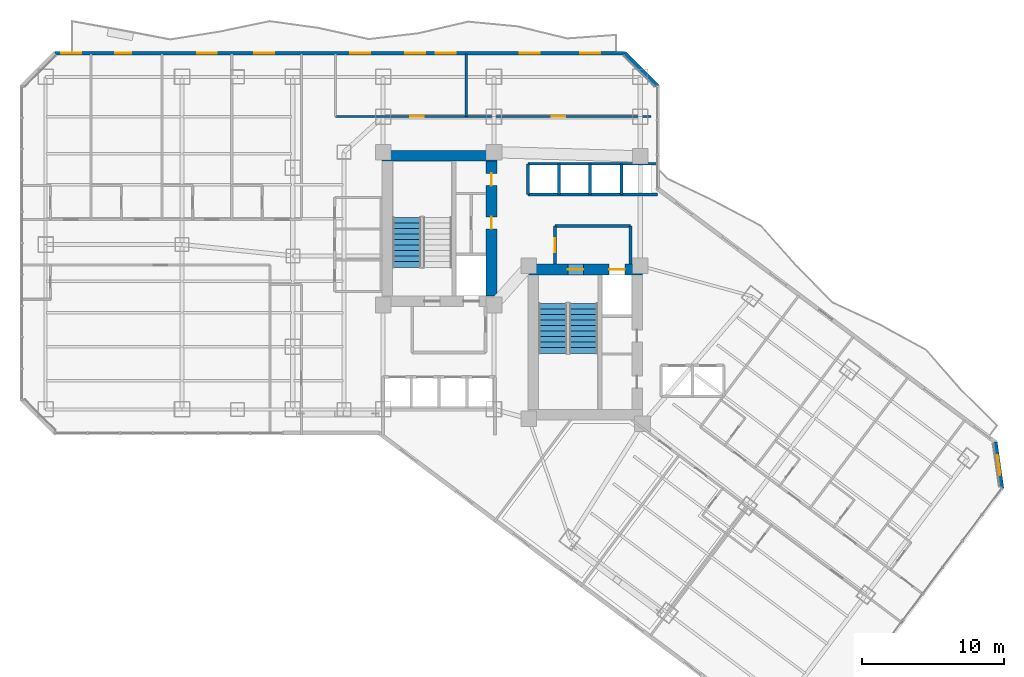
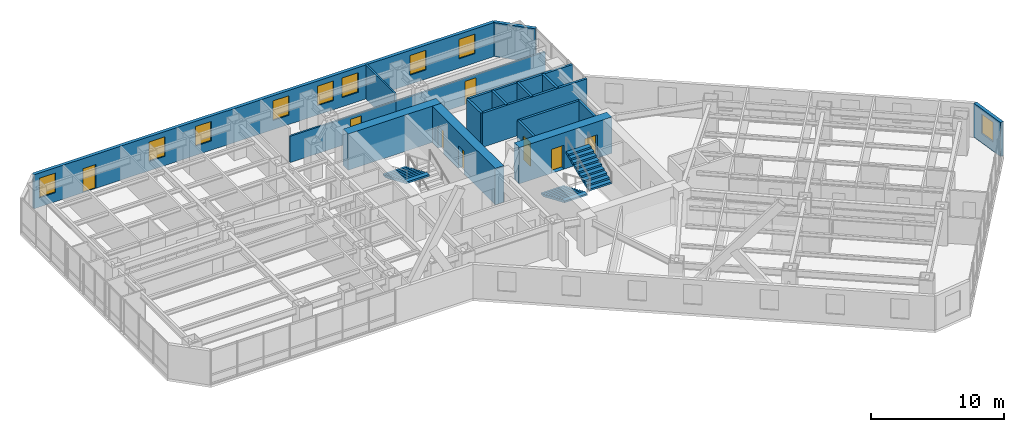
# One storey, part 27 of 33: 18 walls, 9 windows, 8 doors, 3 stair flights, 17 openings, 2 elements without a shape of their own.
"""IFC4 building model written with IfcOpenShell, lengths in metres."""

from ifc_helpers import new_model, si_unit, direction, frame, frame_2d, origin, place, context, subcontext, project, spatial, polyline, rectangle, outline, extrude, material, layer, layer_set, type_object, element, fill, aggregate, save


model = new_model("IFC4")

# Units and contexts
model_context = context("Model", 3, precision=1e-05, world=origin(), true_north=direction((0.0, 1.0)))
body_context = subcontext(model_context, "Body", "Model", "MODEL_VIEW")
ifc_project = project(units=[si_unit("LENGTHUNIT", "METRE"), si_unit("AREAUNIT", "SQUARE_METRE"), si_unit("VOLUMEUNIT", "CUBIC_METRE"), si_unit("PLANEANGLEUNIT", "RADIAN"), si_unit("MASSUNIT", "GRAM", prefix="KILO")], contexts=[model_context])

# Site, building, storey
site_placement = place(None, origin())
site = spatial("IfcSite", under=ifc_project, at=site_placement, CompositionType="ELEMENT")
building_placement = place(site_placement, origin())
building = spatial("IfcBuilding", under=site, at=building_placement, Name="Hatsunagi Terrace Concourse", CompositionType="ELEMENT")
storey_placement = place(building_placement, frame((0.0, 0.0, 43.300048828125)))
storey = spatial("IfcBuildingStorey", under=building, at=storey_placement, Name="L10", CompositionType="ELEMENT", Elevation=43.300048828125)

# Wall
ifc_material_1 = material(Name="Concrete Fc60", Category="concrete")
ifc_layer_1 = layer(ifc_material_1, 0.75)
ifc_layer_set_1 = layer_set([ifc_layer_1], Name="CoreShearWall_Fc60_750")
wall_type_1 = type_object("IfcWallType", Name="CoreShearWall_Fc60_750", PredefinedType="SHEAR", material=ifc_layer_set_1)
wall_1_placement = place(storey_placement, frame((25.469970703125, 43.044921875, 0.0), z_axis=(0.0, 0.0, 1.0), x_axis=(1.0, 0.0, 0.0)))
element("IfcWall", 1, at=wall_1_placement, inside=storey, type_object=wall_type_1, Name="Core A Shear Wall N L10", PredefinedType="SHEAR", context=body_context, shape_type="SweptSolid", body=[
    extrude(rectangle(XDim=8.080078125, YDim=0.75, at=frame_2d((4.0400390625, 0.0))), origin(), (0.0, 0.0, 1.0), 3.349853515625),
])

# Wall, openings, doors
wall_2_placement = place(storey_placement, frame((33.175048828125, 33.18994140625, 0.0), z_axis=(0.0, 0.0, 1.0), x_axis=(0.0, 1.0, 0.0)))
wall_2 = element("IfcWall", 2, at=wall_2_placement, inside=storey, type_object=wall_type_1, Name="Core A Shear Wall E L10", PredefinedType="SHEAR", context=body_context, shape_type="SweptSolid", body=[
    extrude(rectangle(XDim=9.47998046875, YDim=0.75, at=frame_2d((4.739990234375, 0.0))), origin(), (0.0, 0.0, 1.0), 3.349853515625),
])
opening_1_placement = place(wall_2_placement, frame((4.7099609375, 0.0, 0.0)))
opening_1 = element("IfcOpeningElement", 3, at=opening_1_placement, cuts=wall_2, Name="Opening DR-085", PredefinedType="OPENING", context=body_context, shape_type="SweptSolid", body=[
    extrude(rectangle(XDim=0.85009765625, YDim=2.080078125, at=frame_2d((0.425048828125, 1.0400390625))), frame((0.0, 0.385009765625, 0.0), z_axis=(0.0, -1.0, 0.0), x_axis=(1.0, 0.0, 0.0)), (0.0, 0.0, 1.0), 0.77001953125),
])
opening_2_placement = place(wall_2_placement, frame((7.760009765625, 0.0, 0.0)))
opening_2 = element("IfcOpeningElement", 4, at=opening_2_placement, cuts=wall_2, Name="Opening DR-085", PredefinedType="OPENING", context=body_context, shape_type="SweptSolid", body=[
    extrude(rectangle(XDim=0.85009765625, YDim=2.080078125, at=frame_2d((0.425048828125, 1.0400390625))), frame((0.0, 0.385009765625, 0.0), z_axis=(0.0, -1.0, 0.0), x_axis=(1.0, 0.0, 0.0)), (0.0, 0.0, 1.0), 0.77001953125),
])
ifc_material_2 = material(Name="Painted steel", Category="steel")
door_type_1 = type_object("IfcDoorType", Name="RiserAccessDoor_EI60_850", OperationType="NOTDEFINED", PredefinedType="DOOR", material=ifc_material_2)
door_1_placement = place(opening_1_placement, origin())
door_1 = element("IfcDoor", 5, at=door_1_placement, inside=storey, type_object=door_type_1, Name="Core A Riser Door L10-1", OperationType="SINGLE_SWING_LEFT", OverallHeight=2.080078125, OverallWidth=0.85009765625, PredefinedType="DOOR", context=body_context, shape_type="SweptSolid", body=[
    extrude(rectangle(XDim=0.85009765625, YDim=2.080078125, at=frame_2d((0.425048828125, 1.0400390625))), frame((0.0, 0.02490234375, 0.0), z_axis=(0.0, -1.0, 0.0), x_axis=(1.0, 0.0, 0.0)), (0.0, 0.0, 1.0), 0.050048828125),
])
fill(opening_1, door_1)
door_2_placement = place(opening_2_placement, origin())
door_2 = element("IfcDoor", 6, at=door_2_placement, inside=storey, type_object=door_type_1, Name="Core A Riser Door L10-2", OperationType="SINGLE_SWING_LEFT", OverallHeight=2.080078125, OverallWidth=0.85009765625, PredefinedType="DOOR", context=body_context, shape_type="SweptSolid", body=[
    extrude(rectangle(XDim=0.85009765625, YDim=2.080078125, at=frame_2d((0.425048828125, 1.0400390625))), frame((0.0, 0.02490234375, 0.0), z_axis=(0.0, -1.0, 0.0), x_axis=(1.0, 0.0, 0.0)), (0.0, 0.0, 1.0), 0.050048828125),
])
fill(opening_2, door_2)

wall_3_placement = place(storey_placement, frame((35.739990234375, 35.044921875, 0.0), z_axis=(0.0, 0.0, 1.0), x_axis=(1.0, 0.0, 0.0)))
wall_3 = element("IfcWall", 7, at=wall_3_placement, inside=storey, type_object=wall_type_1, Name="Core B Shear Wall N L10", PredefinedType="SHEAR", context=body_context, shape_type="SweptSolid", body=[
    extrude(rectangle(XDim=8.06005859375, YDim=0.75, at=frame_2d((4.030029296875, 0.0))), origin(), (0.0, 0.0, 1.0), 3.349853515625),
])
opening_3_placement = place(wall_3_placement, frame((2.81005859375, 0.0, 0.0)))
opening_3 = element("IfcOpeningElement", 8, at=opening_3_placement, cuts=wall_3, Name="Opening DR-110S", PredefinedType="OPENING", context=body_context, shape_type="SweptSolid", body=[
    extrude(rectangle(XDim=1.10009765625, YDim=2.199951171875, at=frame_2d((0.550048828125, 1.10009765625))), frame((0.0, 0.385009765625, 0.0), z_axis=(0.0, -1.0, 0.0), x_axis=(1.0, 0.0, 0.0)), (0.0, 0.0, 1.0), 0.77001953125),
])
opening_4_placement = place(wall_3_placement, frame((5.7099609375, 0.0, 0.0)))
opening_4 = element("IfcOpeningElement", 9, at=opening_4_placement, cuts=wall_3, Name="Opening LD-02", PredefinedType="OPENING", context=body_context, shape_type="SweptSolid", body=[
    extrude(rectangle(XDim=1.1201171875, YDim=2.14990234375, at=frame_2d((0.56005859375, 1.074951171875))), frame((0.0, 0.385009765625, 0.0), z_axis=(0.0, -1.0, 0.0), x_axis=(1.0, 0.0, 0.0)), (0.0, 0.0, 1.0), 0.77001953125),
])
ifc_material_3 = material(Name="Stainless steel", Category="steel")
door_type_2 = type_object("IfcDoorType", Name="LiftLandingDoor_LD02", OperationType="SLIDING_TO_RIGHT", PredefinedType="USERDEFINED", material=ifc_material_3)
door_3_placement = place(opening_4_placement, origin())
door_3 = element("IfcDoor", 10, at=door_3_placement, inside=storey, type_object=door_type_2, Name="Lift landing door FF-02 L10", ObjectType="SLIDING_LANDING_DOOR", OperationType="SLIDING_TO_RIGHT", OverallHeight=2.14990234375, OverallWidth=1.1201171875, PredefinedType="USERDEFINED", context=body_context, shape_type="SweptSolid", body=[
    extrude(rectangle(XDim=1.1201171875, YDim=2.14990234375, at=frame_2d((0.56005859375, 1.074951171875))), frame((0.0, 0.02490234375, 0.0), z_axis=(0.0, -1.0, 0.0), x_axis=(1.0, 0.0, 0.0)), (0.0, 0.0, 1.0), 0.050048828125),
])
fill(opening_4, door_3)
ifc_material_4 = material(Name="Painted steel", Category="steel")
door_type_3 = type_object("IfcDoorType", Name="StairFireDoor_EI60_1100", OperationType="NOTDEFINED", PredefinedType="DOOR", material=ifc_material_4)
door_4_placement = place(opening_3_placement, origin())
door_4 = element("IfcDoor", 11, at=door_4_placement, inside=storey, type_object=door_type_3, Name="Stair ST-B Exit Door L10", OperationType="SINGLE_SWING_RIGHT", OverallHeight=2.199951171875, OverallWidth=1.10009765625, PredefinedType="DOOR", context=body_context, shape_type="SweptSolid", body=[
    extrude(rectangle(XDim=1.10009765625, YDim=2.199951171875, at=frame_2d((0.550048828125, 1.10009765625))), frame((0.0, 0.02490234375, 0.0), z_axis=(0.0, -1.0, 0.0), x_axis=(1.0, 0.0, 0.0)), (0.0, 0.0, 1.0), 0.050048828125),
])
fill(opening_3, door_4)

# Wall, opening, door
ifc_material_5 = material(Name="Acoustic mineral board", Category="gypsum")
ifc_layer_2 = layer(ifc_material_5, 0.14990234375)
ifc_layer_set_2 = layer_set([ifc_layer_2], Name="PartitionWall_EI60_150")
wall_type_2 = type_object("IfcWallType", Name="PartitionWall_EI60_150", PredefinedType="PARTITIONING", material=ifc_layer_set_2)
wall_4_placement = place(storey_placement, frame((22.199951171875, 45.800048828125, 0.0), z_axis=(0.0, 0.0, 1.0), x_axis=(1.0, 0.0, 0.0)))
wall_4 = element("IfcWall", 12, at=wall_4_placement, inside=storey, type_object=wall_type_2, Name="Interior Partition IW-L10-038", PredefinedType="PARTITIONING", context=body_context, shape_type="SweptSolid", body=[
    extrude(rectangle(XDim=9.199951171875, YDim=0.14990234375, at=frame_2d((4.60009765625, 0.0))), origin(), (0.0, 0.0, 1.0), 2.425048828125),
])
opening_5_placement = place(wall_4_placement, frame((5.248046875, 0.0, 0.0)))
opening_5 = element("IfcOpeningElement", 13, at=opening_5_placement, cuts=wall_4, Name="Opening DR-095", PredefinedType="OPENING", context=body_context, shape_type="SweptSolid", body=[
    extrude(rectangle(XDim=0.949951171875, YDim=2.14990234375, at=frame_2d((0.47509765625, 1.074951171875))), frame((0.0, 0.0849609375, 0.0), z_axis=(0.0, -1.0, 0.0), x_axis=(1.0, 0.0, 0.0)), (0.0, 0.0, 1.0), 0.169921875),
])
ifc_material_6 = material(Name="Hardwood timber", Category="wood")
door_type_4 = type_object("IfcDoorType", Name="InteriorSuiteDoor_EI30_950", OperationType="NOTDEFINED", PredefinedType="DOOR", material=ifc_material_6)
door_5_placement = place(opening_5_placement, origin())
door_5 = element("IfcDoor", 14, at=door_5_placement, inside=storey, type_object=door_type_4, Name="Housekeeping Linen Room L10-HLIN Door", OperationType="SINGLE_SWING_LEFT", OverallHeight=2.14990234375, OverallWidth=0.949951171875, PredefinedType="DOOR", context=body_context, shape_type="SweptSolid", body=[
    extrude(rectangle(XDim=0.949951171875, YDim=2.14990234375, at=frame_2d((0.47509765625, 1.074951171875))), frame((0.0, 0.02490234375, 0.0), z_axis=(0.0, -1.0, 0.0), x_axis=(1.0, 0.0, 0.0)), (0.0, 0.0, 1.0), 0.050048828125),
])
fill(opening_5, door_5)

# Wall
wall_5_placement = place(storey_placement, frame((31.39990234375, 45.800048828125, 0.0), z_axis=(0.0, 0.0, 1.0), x_axis=(0.0, 1.0, 0.0)))
element("IfcWall", 15, at=wall_5_placement, inside=storey, type_object=wall_type_2, Name="Interior Partition IW-L10-040", PredefinedType="PARTITIONING", context=body_context, shape_type="SweptSolid", body=[
    extrude(rectangle(XDim=4.39990234375, YDim=0.14990234375, at=frame_2d((2.199951171875, 0.0))), origin(), (0.0, 0.0, 1.0), 3.1298828125),
])

# Wall, opening, door
wall_6_placement = place(storey_placement, frame((31.39990234375, 45.800048828125, 0.0), z_axis=(0.0, 0.0, 1.0), x_axis=(1.0, 0.0, 0.0)))
wall_6 = element("IfcWall", 16, at=wall_6_placement, inside=storey, type_object=wall_type_2, Name="Interior Partition IW-L10-041", PredefinedType="PARTITIONING", context=body_context, shape_type="SweptSolid", body=[
    extrude(rectangle(XDim=13.0, YDim=0.14990234375, at=frame_2d((6.5, 0.0))), origin(), (0.0, 0.0, 1.0), 2.425048828125),
])
opening_6_placement = place(wall_6_placement, frame((6.02490234375, 0.0, 0.0)))
opening_6 = element("IfcOpeningElement", 17, at=opening_6_placement, cuts=wall_6, Name="Opening DR-095", PredefinedType="OPENING", context=body_context, shape_type="SweptSolid", body=[
    extrude(rectangle(XDim=0.949951171875, YDim=2.14990234375, at=frame_2d((0.47509765625, 1.074951171875))), frame((0.0, 0.0849609375, 0.0), z_axis=(0.0, -1.0, 0.0), x_axis=(1.0, 0.0, 0.0)), (0.0, 0.0, 1.0), 0.169921875),
])
door_6_placement = place(opening_6_placement, origin())
door_6 = element("IfcDoor", 18, at=door_6_placement, inside=storey, type_object=door_type_4, Name="VIP Lounge L10-HLNG Door", OperationType="SINGLE_SWING_LEFT", OverallHeight=2.14990234375, OverallWidth=0.949951171875, PredefinedType="DOOR", context=body_context, shape_type="SweptSolid", body=[
    extrude(rectangle(XDim=0.949951171875, YDim=2.14990234375, at=frame_2d((0.47509765625, 1.074951171875))), frame((0.0, 0.02490234375, 0.0), z_axis=(0.0, -1.0, 0.0), x_axis=(1.0, 0.0, 0.0)), (0.0, 0.0, 1.0), 0.050048828125),
])
fill(opening_6, door_6)

# Walls
ifc_material_7 = material(Name="Acoustic mineral board", Category="gypsum")
ifc_layer_3 = layer(ifc_material_7, 0.199951171875)
ifc_layer_set_3 = layer_set([ifc_layer_3], Name="ShaftWall_EI120_200")
wall_type_3 = type_object("IfcWallType", Name="ShaftWall_EI120_200", PredefinedType="STANDARD", material=ifc_layer_set_3)
wall_7_placement = place(storey_placement, frame((37.64990234375, 38.10009765625, 0.0), z_axis=(0.0, 0.0, 1.0), x_axis=(1.0, 0.0, 0.0)))
element("IfcWall", 19, at=wall_7_placement, inside=storey, type_object=wall_type_3, Name="Interior Partition IW-L10-009", PredefinedType="STANDARD", context=body_context, shape_type="SweptSolid", body=[
    extrude(rectangle(XDim=5.300048828125, YDim=0.199951171875, at=frame_2d((2.64990234375, 0.0))), origin(), (0.0, 0.0, 1.0), 3.1298828125),
])
wall_8_placement = place(storey_placement, frame((42.949951171875, 35.419921875, 0.0), z_axis=(0.0, 0.0, 1.0), x_axis=(0.0, 1.0, 0.0)))
element("IfcWall", 20, at=wall_8_placement, inside=storey, type_object=wall_type_3, Name="Interior Partition IW-L10-010", PredefinedType="STANDARD", context=body_context, shape_type="SweptSolid", body=[
    extrude(rectangle(XDim=2.68017578125, YDim=0.199951171875, at=frame_2d((1.340087890625, 0.0))), origin(), (0.0, 0.0, 1.0), 3.1298828125),
])

# Wall, opening, door
wall_9_placement = place(storey_placement, frame((37.64990234375, 35.419921875, 0.0), z_axis=(0.0, 0.0, 1.0), x_axis=(0.0, 1.0, 0.0)))
wall_9 = element("IfcWall", 21, at=wall_9_placement, inside=storey, type_object=wall_type_3, Name="Interior Partition IW-L10-011", PredefinedType="STANDARD", context=body_context, shape_type="SweptSolid", body=[
    extrude(rectangle(XDim=2.68017578125, YDim=0.199951171875, at=frame_2d((1.340087890625, 0.0))), origin(), (0.0, 0.0, 1.0), 3.1298828125),
])
opening_7_placement = place(wall_9_placement, frame((0.840087890625, 0.0, 0.0)))
opening_7 = element("IfcOpeningElement", 22, at=opening_7_placement, cuts=wall_9, Name="Opening DR-100F", PredefinedType="OPENING", context=body_context, shape_type="SweptSolid", body=[
    extrude(rectangle(XDim=1.0, YDim=2.199951171875, at=frame_2d((0.5, 1.10009765625))), frame((0.0, 0.10986328125, 0.0), z_axis=(0.0, -1.0, 0.0), x_axis=(1.0, 0.0, 0.0)), (0.0, 0.0, 1.0), 0.219970703125),
])
ifc_material_8 = material(Name="Painted steel", Category="steel")
door_type_5 = type_object("IfcDoorType", Name="FireDoor_EI60_1000", OperationType="NOTDEFINED", PredefinedType="DOOR", material=ifc_material_8)
door_7_placement = place(opening_7_placement, origin())
door_7 = element("IfcDoor", 23, at=door_7_placement, inside=storey, type_object=door_type_5, Name="Firefighting Lobby B Door L10", OperationType="SINGLE_SWING_RIGHT", OverallHeight=2.199951171875, OverallWidth=1.0, PredefinedType="DOOR", context=body_context, shape_type="SweptSolid", body=[
    extrude(rectangle(XDim=1.0, YDim=2.199951171875, at=frame_2d((0.5, 1.10009765625))), frame((0.0, 0.02490234375, 0.0), z_axis=(0.0, -1.0, 0.0), x_axis=(1.0, 0.0, 0.0)), (0.0, 0.0, 1.0), 0.050048828125),
])
fill(opening_7, door_7)

# Walls
wall_10_placement = place(storey_placement, frame((35.75, 42.47998046875, 0.0), z_axis=(0.0, 0.0, 1.0), x_axis=(1.0, 0.0, 0.0)))
element("IfcWall", 24, at=wall_10_placement, inside=storey, type_object=wall_type_3, Name="Interior Partition IW-L10-019", PredefinedType="STANDARD", context=body_context, shape_type="SweptSolid", body=[
    extrude(rectangle(XDim=9.110107421875, YDim=0.199951171875, at=frame_2d((4.55517578125, 0.0))), origin(), (0.0, 0.0, 1.0), 3.1298828125),
])
for number, where, z_axis, x_axis, name in (
    (25, (35.75, 40.320068359375, 0.0), (0.0, 0.0, 1.0), (0.0, 1.0, 0.0), "Interior Partition IW-L10-020"),
    (26, (37.919921875, 40.320068359375, 0.0), (0.0, 0.0, 1.0), (0.0, 1.0, 0.0), "Interior Partition IW-L10-021"),
    (27, (40.1201171875, 40.320068359375, 0.0), (0.0, 0.0, 1.0), (0.0, 1.0, 0.0), "Interior Partition IW-L10-022"),
    (28, (42.320068359375, 40.320068359375, 0.0), (0.0, 0.0, 1.0), (0.0, 1.0, 0.0), "Interior Partition IW-L10-023"),
):
    element("IfcWall", number, at=place(storey_placement, frame(where, z_axis=z_axis, x_axis=x_axis)), inside=storey, type_object=wall_type_3, Name=name, PredefinedType="STANDARD", context=body_context, shape_type="SweptSolid", body=[
        extrude(rectangle(XDim=2.159912109375, YDim=0.199951171875, at=frame_2d((1.080078125, 0.0))), origin(), (0.0, 0.0, 1.0), 3.1298828125),
    ])
wall_11_placement = place(storey_placement, frame((35.75, 40.320068359375, 0.0), z_axis=(0.0, 0.0, 1.0), x_axis=(1.0, 0.0, 0.0)))
element("IfcWall", 29, at=wall_11_placement, inside=storey, type_object=wall_type_3, Name="Interior Partition IW-L10-024", PredefinedType="STANDARD", context=body_context, shape_type="SweptSolid", body=[
    extrude(rectangle(XDim=9.110107421875, YDim=0.199951171875, at=frame_2d((4.55517578125, 0.0))), origin(), (0.0, 0.0, 1.0), 3.1298828125),
])

# Wall, opening, window
ifc_material_9 = material(Name="Autoclaved Lightweight Concrete and Terracotta Cladding", Category="masonry")
ifc_layer_4 = layer(ifc_material_9, 0.280029296875)
ifc_layer_set_4 = layer_set([ifc_layer_4], Name="TerracottaSpandrelWall_280")
wall_type_4 = type_object("IfcWallType", Name="TerracottaSpandrelWall_280", PredefinedType="STANDARD", material=ifc_layer_set_4)
wall_12_placement = place(storey_placement, frame((68.6298828125, 22.903076171875, 0.0), z_axis=(0.0, 0.0, 1.0), x_axis=(0.141285803956, -0.989968848803, 0.0)))
wall_12 = element("IfcWall", 30, at=wall_12_placement, inside=storey, type_object=wall_type_4, Name="Exterior Spandrel Wall EW-L10-02", PredefinedType="STANDARD", context=body_context, shape_type="SweptSolid", body=[
    extrude(rectangle(XDim=3.278076171875, YDim=0.280029296875, at=frame_2d((1.63916015625, 0.0))), origin(), (0.0, 0.0, 1.0), 3.1298828125),
])
opening_8_placement = place(wall_12_placement, frame((0.93896484375, 0.0, 0.85009765625)))
opening_8 = element("IfcOpeningElement", 31, at=opening_8_placement, cuts=wall_12, Name="Opening WIN-02", PredefinedType="OPENING", context=body_context, shape_type="SweptSolid", body=[
    extrude(rectangle(XDim=1.39990234375, YDim=1.800048828125, at=frame_2d((0.699951171875, 0.89990234375))), frame((0.0, 0.14990234375, 0.0), z_axis=(0.0, -1.0, 0.0), x_axis=(1.0, 0.0, 0.0)), (0.0, 0.0, 1.0), 0.300048828125),
])
ifc_material_10 = material(Name="Thermally Broken Aluminium and Low-E Triple Glazing", Category="aluminium")
window_type = type_object("IfcWindowType", Name="HotelOperableVentWindow_1400x1800", PartitioningType="DOUBLE_PANEL_VERTICAL", PredefinedType="WINDOW", material=ifc_material_10)
window_1_placement = place(opening_8_placement, origin())
window_1 = element("IfcWindow", 32, at=window_1_placement, inside=storey, type_object=window_type, Name="Hotel Guestroom Window L10-02-1", OverallHeight=1.800048828125, OverallWidth=1.39990234375, PartitioningType="SINGLE_PANEL", PredefinedType="WINDOW", context=body_context, shape_type="SweptSolid", body=[
    extrude(rectangle(XDim=1.39990234375, YDim=1.800048828125, at=frame_2d((0.699951171875, 0.89990234375))), frame((0.0, 0.030029296875, 0.0), z_axis=(0.0, -1.0, 0.0), x_axis=(1.0, 0.0, 0.0)), (0.0, 0.0, 1.0), 0.06005859375),
])
fill(opening_8, window_1)

# Wall, openings, door, windows
wall_13_placement = place(storey_placement, frame((2.4580078125, 50.260009765625, 0.0), z_axis=(0.0, 0.0, 1.0), x_axis=(1.0, 0.0, 0.0)))
wall_13 = element("IfcWall", 33, at=wall_13_placement, inside=storey, type_object=wall_type_4, Name="Exterior Spandrel Wall EW-L10-11", PredefinedType="STANDARD", context=body_context, shape_type="SweptSolid", body=[
    extrude(rectangle(XDim=40.083984375, YDim=0.280029296875, at=frame_2d((20.0419921875, 0.0))), origin(), (0.0, 0.0, 1.0), 3.1298828125),
])
opening_9_placement = place(wall_13_placement, frame((4.260009765625, 0.0, 0.0)))
opening_9 = element("IfcOpeningElement", 34, at=opening_9_placement, cuts=wall_13, Name="Opening BD-01", PredefinedType="OPENING", context=body_context, shape_type="SweptSolid", body=[
    extrude(rectangle(XDim=1.10009765625, YDim=2.199951171875, at=frame_2d((0.550048828125, 1.10009765625))), frame((0.0, 0.14990234375, 0.0), z_axis=(0.0, -1.0, 0.0), x_axis=(1.0, 0.0, 0.0)), (0.0, 0.0, 1.0), 0.300048828125),
])
opening_10_placement = place(wall_13_placement, frame((0.4599609375, 0.0, 0.85009765625)))
opening_10 = element("IfcOpeningElement", 35, at=opening_10_placement, cuts=wall_13, Name="Opening WIN-02", PredefinedType="OPENING", context=body_context, shape_type="SweptSolid", body=[
    extrude(rectangle(XDim=1.39990234375, YDim=1.800048828125, at=frame_2d((0.699951171875, 0.89990234375))), frame((0.0, 0.14990234375, 0.0), z_axis=(0.0, -1.0, 0.0), x_axis=(1.0, 0.0, 0.0)), (0.0, 0.0, 1.0), 0.300048828125),
])
opening_11_placement = place(wall_13_placement, frame((10.0, 0.0, 0.85009765625)))
opening_11 = element("IfcOpeningElement", 36, at=opening_11_placement, cuts=wall_13, Name="Opening WIN-02", PredefinedType="OPENING", context=body_context, shape_type="SweptSolid", body=[
    extrude(rectangle(XDim=1.39990234375, YDim=1.800048828125, at=frame_2d((0.699951171875, 0.89990234375))), frame((0.0, 0.14990234375, 0.0), z_axis=(0.0, -1.0, 0.0), x_axis=(1.0, 0.0, 0.0)), (0.0, 0.0, 1.0), 0.300048828125),
])
opening_12_placement = place(wall_13_placement, frame((14.02001953125, 0.0, 0.85009765625)))
opening_12 = element("IfcOpeningElement", 37, at=opening_12_placement, cuts=wall_13, Name="Opening WIN-02", PredefinedType="OPENING", context=body_context, shape_type="SweptSolid", body=[
    extrude(rectangle(XDim=1.39990234375, YDim=1.800048828125, at=frame_2d((0.699951171875, 0.89990234375))), frame((0.0, 0.14990234375, 0.0), z_axis=(0.0, -1.0, 0.0), x_axis=(1.0, 0.0, 0.0)), (0.0, 0.0, 1.0), 0.300048828125),
])
opening_13_placement = place(wall_13_placement, frame((20.7890625, 0.0, 0.85009765625)))
opening_13 = element("IfcOpeningElement", 38, at=opening_13_placement, cuts=wall_13, Name="Opening WIN-02", PredefinedType="OPENING", context=body_context, shape_type="SweptSolid", body=[
    extrude(rectangle(XDim=1.39990234375, YDim=1.800048828125, at=frame_2d((0.699951171875, 0.89990234375))), frame((0.0, 0.14990234375, 0.0), z_axis=(0.0, -1.0, 0.0), x_axis=(1.0, 0.0, 0.0)), (0.0, 0.0, 1.0), 0.300048828125),
])
opening_14_placement = place(wall_13_placement, frame((24.6640625, 0.0, 0.85009765625)))
opening_14 = element("IfcOpeningElement", 39, at=opening_14_placement, cuts=wall_13, Name="Opening WIN-02", PredefinedType="OPENING", context=body_context, shape_type="SweptSolid", body=[
    extrude(rectangle(XDim=1.39990234375, YDim=1.800048828125, at=frame_2d((0.699951171875, 0.89990234375))), frame((0.0, 0.14990234375, 0.0), z_axis=(0.0, -1.0, 0.0), x_axis=(1.0, 0.0, 0.0)), (0.0, 0.0, 1.0), 0.300048828125),
])
opening_15_placement = place(wall_13_placement, frame((26.802978515625, 0.0, 0.85009765625)))
opening_15 = element("IfcOpeningElement", 40, at=opening_15_placement, cuts=wall_13, Name="Opening WIN-02", PredefinedType="OPENING", context=body_context, shape_type="SweptSolid", body=[
    extrude(rectangle(XDim=1.39990234375, YDim=1.800048828125, at=frame_2d((0.699951171875, 0.89990234375))), frame((0.0, 0.14990234375, 0.0), z_axis=(0.0, -1.0, 0.0), x_axis=(1.0, 0.0, 0.0)), (0.0, 0.0, 1.0), 0.300048828125),
])
opening_16_placement = place(wall_13_placement, frame((32.702880859375, 0.0, 0.85009765625)))
opening_16 = element("IfcOpeningElement", 41, at=opening_16_placement, cuts=wall_13, Name="Opening WIN-02", PredefinedType="OPENING", context=body_context, shape_type="SweptSolid", body=[
    extrude(rectangle(XDim=1.39990234375, YDim=1.800048828125, at=frame_2d((0.699951171875, 0.89990234375))), frame((0.0, 0.14990234375, 0.0), z_axis=(0.0, -1.0, 0.0), x_axis=(1.0, 0.0, 0.0)), (0.0, 0.0, 1.0), 0.300048828125),
])
opening_17_placement = place(wall_13_placement, frame((36.967041015625, 0.0, 0.85009765625)))
opening_17 = element("IfcOpeningElement", 42, at=opening_17_placement, cuts=wall_13, Name="Opening WIN-02", PredefinedType="OPENING", context=body_context, shape_type="SweptSolid", body=[
    extrude(rectangle(XDim=1.39990234375, YDim=1.800048828125, at=frame_2d((0.699951171875, 0.89990234375))), frame((0.0, 0.14990234375, 0.0), z_axis=(0.0, -1.0, 0.0), x_axis=(1.0, 0.0, 0.0)), (0.0, 0.0, 1.0), 0.300048828125),
])
ifc_material_11 = material(Name="Galvanised Steel and Laminated Safety Glass", Category="steel")
door_type_6 = type_object("IfcDoorType", Name="BalconyTerraceAccessDoor_1100x2200", OperationType="SINGLE_SWING_LEFT", PredefinedType="DOOR", material=ifc_material_11)
door_8_placement = place(opening_9_placement, origin())
door_8 = element("IfcDoor", 43, at=door_8_placement, inside=storey, type_object=door_type_6, Name="Engawa Balcony Door L10-BN", OperationType="SINGLE_SWING_RIGHT", OverallHeight=2.199951171875, OverallWidth=1.10009765625, PredefinedType="DOOR", context=body_context, shape_type="SweptSolid", body=[
    extrude(rectangle(XDim=1.10009765625, YDim=2.199951171875, at=frame_2d((0.550048828125, 1.10009765625))), frame((0.0, 0.02490234375, 0.0), z_axis=(0.0, -1.0, 0.0), x_axis=(1.0, 0.0, 0.0)), (0.0, 0.0, 1.0), 0.050048828125),
])
fill(opening_9, door_8)
window_2_placement = place(opening_10_placement, origin())
window_2 = element("IfcWindow", 44, at=window_2_placement, inside=storey, type_object=window_type, Name="Balcony Daylighting Window L10-11-1", OverallHeight=1.800048828125, OverallWidth=1.39990234375, PartitioningType="SINGLE_PANEL", PredefinedType="WINDOW", context=body_context, shape_type="SweptSolid", body=[
    extrude(rectangle(XDim=1.39990234375, YDim=1.800048828125, at=frame_2d((0.699951171875, 0.89990234375))), frame((0.0, 0.030029296875, 0.0), z_axis=(0.0, -1.0, 0.0), x_axis=(1.0, 0.0, 0.0)), (0.0, 0.0, 1.0), 0.06005859375),
])
fill(opening_10, window_2)
window_3_placement = place(opening_11_placement, origin())
window_3 = element("IfcWindow", 45, at=window_3_placement, inside=storey, type_object=window_type, Name="Balcony Daylighting Window L10-11-3", OverallHeight=1.800048828125, OverallWidth=1.39990234375, PartitioningType="SINGLE_PANEL", PredefinedType="WINDOW", context=body_context, shape_type="SweptSolid", body=[
    extrude(rectangle(XDim=1.39990234375, YDim=1.800048828125, at=frame_2d((0.699951171875, 0.89990234375))), frame((0.0, 0.030029296875, 0.0), z_axis=(0.0, -1.0, 0.0), x_axis=(1.0, 0.0, 0.0)), (0.0, 0.0, 1.0), 0.06005859375),
])
fill(opening_11, window_3)
window_4_placement = place(opening_12_placement, origin())
window_4 = element("IfcWindow", 46, at=window_4_placement, inside=storey, type_object=window_type, Name="Balcony Daylighting Window L10-11-4", OverallHeight=1.800048828125, OverallWidth=1.39990234375, PartitioningType="SINGLE_PANEL", PredefinedType="WINDOW", context=body_context, shape_type="SweptSolid", body=[
    extrude(rectangle(XDim=1.39990234375, YDim=1.800048828125, at=frame_2d((0.699951171875, 0.89990234375))), frame((0.0, 0.030029296875, 0.0), z_axis=(0.0, -1.0, 0.0), x_axis=(1.0, 0.0, 0.0)), (0.0, 0.0, 1.0), 0.06005859375),
])
fill(opening_12, window_4)
window_5_placement = place(opening_13_placement, origin())
window_5 = element("IfcWindow", 47, at=window_5_placement, inside=storey, type_object=window_type, Name="Balcony Daylighting Window L10-11-5", OverallHeight=1.800048828125, OverallWidth=1.39990234375, PartitioningType="SINGLE_PANEL", PredefinedType="WINDOW", context=body_context, shape_type="SweptSolid", body=[
    extrude(rectangle(XDim=1.39990234375, YDim=1.800048828125, at=frame_2d((0.699951171875, 0.89990234375))), frame((0.0, 0.030029296875, 0.0), z_axis=(0.0, -1.0, 0.0), x_axis=(1.0, 0.0, 0.0)), (0.0, 0.0, 1.0), 0.06005859375),
])
fill(opening_13, window_5)
window_6_placement = place(opening_14_placement, origin())
window_6 = element("IfcWindow", 48, at=window_6_placement, inside=storey, type_object=window_type, Name="Balcony Daylighting Window L10-11-6", OverallHeight=1.800048828125, OverallWidth=1.39990234375, PartitioningType="SINGLE_PANEL", PredefinedType="WINDOW", context=body_context, shape_type="SweptSolid", body=[
    extrude(rectangle(XDim=1.39990234375, YDim=1.800048828125, at=frame_2d((0.699951171875, 0.89990234375))), frame((0.0, 0.030029296875, 0.0), z_axis=(0.0, -1.0, 0.0), x_axis=(1.0, 0.0, 0.0)), (0.0, 0.0, 1.0), 0.06005859375),
])
fill(opening_14, window_6)
window_7_placement = place(opening_15_placement, origin())
window_7 = element("IfcWindow", 49, at=window_7_placement, inside=storey, type_object=window_type, Name="Balcony Daylighting Window L10-11-7", OverallHeight=1.800048828125, OverallWidth=1.39990234375, PartitioningType="SINGLE_PANEL", PredefinedType="WINDOW", context=body_context, shape_type="SweptSolid", body=[
    extrude(rectangle(XDim=1.39990234375, YDim=1.800048828125, at=frame_2d((0.699951171875, 0.89990234375))), frame((0.0, 0.030029296875, 0.0), z_axis=(0.0, -1.0, 0.0), x_axis=(1.0, 0.0, 0.0)), (0.0, 0.0, 1.0), 0.06005859375),
])
fill(opening_15, window_7)
window_8_placement = place(opening_16_placement, origin())
window_8 = element("IfcWindow", 50, at=window_8_placement, inside=storey, type_object=window_type, Name="Balcony Daylighting Window L10-11-8", OverallHeight=1.800048828125, OverallWidth=1.39990234375, PartitioningType="SINGLE_PANEL", PredefinedType="WINDOW", context=body_context, shape_type="SweptSolid", body=[
    extrude(rectangle(XDim=1.39990234375, YDim=1.800048828125, at=frame_2d((0.699951171875, 0.89990234375))), frame((0.0, 0.030029296875, 0.0), z_axis=(0.0, -1.0, 0.0), x_axis=(1.0, 0.0, 0.0)), (0.0, 0.0, 1.0), 0.06005859375),
])
fill(opening_16, window_8)
window_9_placement = place(opening_17_placement, origin())
window_9 = element("IfcWindow", 51, at=window_9_placement, inside=storey, type_object=window_type, Name="Balcony Daylighting Window L10-11-9", OverallHeight=1.800048828125, OverallWidth=1.39990234375, PartitioningType="SINGLE_PANEL", PredefinedType="WINDOW", context=body_context, shape_type="SweptSolid", body=[
    extrude(rectangle(XDim=1.39990234375, YDim=1.800048828125, at=frame_2d((0.699951171875, 0.89990234375))), frame((0.0, 0.030029296875, 0.0), z_axis=(0.0, -1.0, 0.0), x_axis=(1.0, 0.0, 0.0)), (0.0, 0.0, 1.0), 0.06005859375),
])
fill(opening_17, window_9)

# Wall
wall_14_placement = place(storey_placement, frame((42.5419921875, 50.260009765625, 0.0), z_axis=(0.0, 0.0, 1.0), x_axis=(0.707106781187, -0.707106781187, 0.0)))
element("IfcWall", 52, at=wall_14_placement, inside=storey, type_object=wall_type_4, Name="Exterior Spandrel Wall EW-L10-12", PredefinedType="STANDARD", context=body_context, shape_type="SweptSolid", body=[
    extrude(rectangle(XDim=3.2783203125, YDim=0.280029296875, at=frame_2d((1.63916015625, 0.0))), origin(), (0.0, 0.0, 1.0), 3.1298828125),
])

# Stair, stair flight
ifc_material_12 = material(Name="Concrete Fc42", Category="concrete")
stair_type = type_object("IfcStairType", Name="DoglegExitStair_Tower2000_20R_168", PredefinedType="HALF_TURN_STAIR", material=ifc_material_12)
stair_1_placement = place(storey_placement, origin())
stair_1 = element("IfcStair", 53, at=stair_1_placement, inside=storey, type_object=stair_type, Name="L10 Core A Protected Exit Stair ST-A", PredefinedType="HALF_TURN_STAIR")
ifc_material_13 = material(Name="Concrete Fc42", Category="concrete")
stair_flight_type = type_object("IfcStairFlightType", Name="DoglegStairFlight_Tower2000_20R_168", PredefinedType="STRAIGHT", material=ifc_material_13)
stair_flight_1_placement = place(storey_placement, frame((27.22998046875, 38.7099609375, 1.675048828125), z_axis=(0.0, 0.0, 1.0), x_axis=(0.0, -1.0, 0.0)))
stair_flight_1 = element("IfcStairFlight", 54, at=stair_flight_1_placement, type_object=stair_flight_type, Name="ST-A flight 2", NumberOfRisers=10, NumberOfTreads=9, PredefinedType="STRAIGHT", RiserHeight=0.1675, TreadLength=0.39, context=body_context, shape_type="SweptSolid", body=[
    extrude(outline(polyline([(0.0, 0.0), (0.0, 0.16748046875), (0.389892578125, 0.16748046875), (0.389892578125, 0.3349609375), (0.780029296875, 0.3349609375), (0.780029296875, 0.50244140625), (1.169921875, 0.50244140625), (1.169921875, 0.669921875), (1.56005859375, 0.669921875), (1.56005859375, 0.83740234375), (1.949951171875, 0.83740234375), (1.949951171875, 1.0048828125), (2.340087890625, 1.0048828125), (2.340087890625, 1.172607421875), (2.72998046875, 1.172607421875), (2.72998046875, 1.340087890625), (3.1201171875, 1.340087890625), (3.1201171875, 1.507568359375), (3.510009765625, 1.507568359375), (3.510009765625, 1.675048828125), (3.510009765625, 1.34423828125), (0.3798828125, 0.0), (0.0, 0.0)])), frame((0.0, 1.0, 0.0), z_axis=(0.0, -1.0, 0.0), x_axis=(1.0, 0.0, 0.0)), (0.0, 0.0, 1.0), 2.0),
])
aggregate(stair_1, [stair_flight_1])

# Stair, stair flights
stair_2_placement = place(storey_placement, origin())
stair_2 = element("IfcStair", 55, at=stair_2_placement, inside=storey, type_object=stair_type, Name="L10 Core B Protected Exit Stair ST-B", PredefinedType="HALF_TURN_STAIR")
stair_flight_2_placement = place(storey_placement, frame((37.5, 32.659912109375, 0.0), z_axis=(0.0, 0.0, 1.0), x_axis=(0.0, -1.0, 0.0)))
stair_flight_2 = element("IfcStairFlight", 56, at=stair_flight_2_placement, type_object=stair_flight_type, Name="ST-B flight 1", NumberOfRisers=10, NumberOfTreads=9, PredefinedType="STRAIGHT", RiserHeight=0.1675, TreadLength=0.39, context=body_context, shape_type="SweptSolid", body=[
    extrude(outline(polyline([(0.0, 0.0), (0.0, 0.16748046875), (0.389892578125, 0.16748046875), (0.389892578125, 0.3349609375), (0.780029296875, 0.3349609375), (0.780029296875, 0.50244140625), (1.169921875, 0.50244140625), (1.169921875, 0.669921875), (1.56005859375, 0.669921875), (1.56005859375, 0.83740234375), (1.949951171875, 0.83740234375), (1.949951171875, 1.0048828125), (2.340087890625, 1.0048828125), (2.340087890625, 1.172607421875), (2.72998046875, 1.172607421875), (2.72998046875, 1.340087890625), (3.1201171875, 1.340087890625), (3.1201171875, 1.507568359375), (3.510009765625, 1.507568359375), (3.510009765625, 1.675048828125), (3.510009765625, 1.34423828125), (0.3798828125, 0.0), (0.0, 0.0)])), frame((0.0, 1.0, 0.0), z_axis=(0.0, -1.0, 0.0), x_axis=(1.0, 0.0, 0.0)), (0.0, 0.0, 1.0), 2.0),
])
stair_flight_3_placement = place(storey_placement, frame((39.64990234375, 29.14990234375, 1.675048828125), z_axis=(0.0, 0.0, 1.0), x_axis=(0.0, 1.0, 0.0)))
stair_flight_3 = element("IfcStairFlight", 57, at=stair_flight_3_placement, type_object=stair_flight_type, Name="ST-B flight 2", NumberOfRisers=10, NumberOfTreads=9, PredefinedType="STRAIGHT", RiserHeight=0.1675, TreadLength=0.39, context=body_context, shape_type="SweptSolid", body=[
    extrude(outline(polyline([(0.0, 0.0), (0.0, 0.16748046875), (0.389892578125, 0.16748046875), (0.389892578125, 0.3349609375), (0.780029296875, 0.3349609375), (0.780029296875, 0.50244140625), (1.169921875, 0.50244140625), (1.169921875, 0.669921875), (1.56005859375, 0.669921875), (1.56005859375, 0.83740234375), (1.949951171875, 0.83740234375), (1.949951171875, 1.0048828125), (2.340087890625, 1.0048828125), (2.340087890625, 1.172607421875), (2.72998046875, 1.172607421875), (2.72998046875, 1.340087890625), (3.1201171875, 1.340087890625), (3.1201171875, 1.507568359375), (3.510009765625, 1.507568359375), (3.510009765625, 1.675048828125), (3.510009765625, 1.34423828125), (0.3798828125, 0.0), (0.0, 0.0)])), frame((0.0, 1.0, 0.0), z_axis=(0.0, -1.0, 0.0), x_axis=(1.0, 0.0, 0.0)), (0.0, 0.0, 1.0), 2.0),
])
aggregate(stair_2, [stair_flight_2, stair_flight_3])

save(model, "model.ifc")
